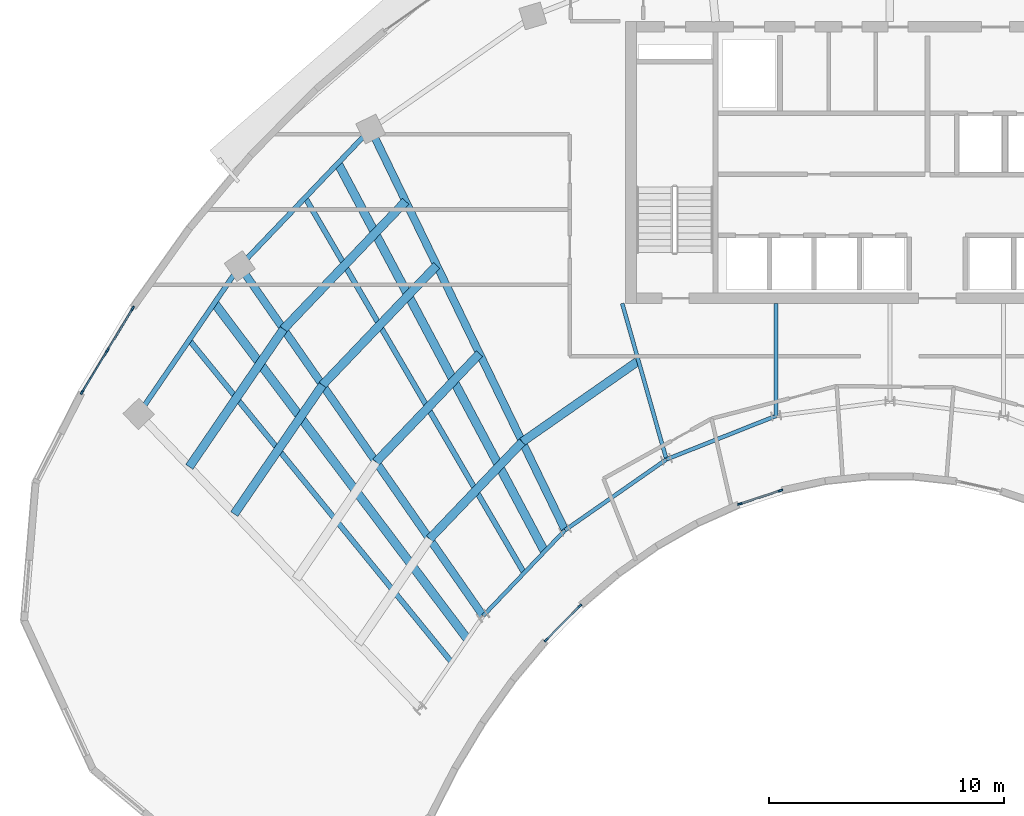
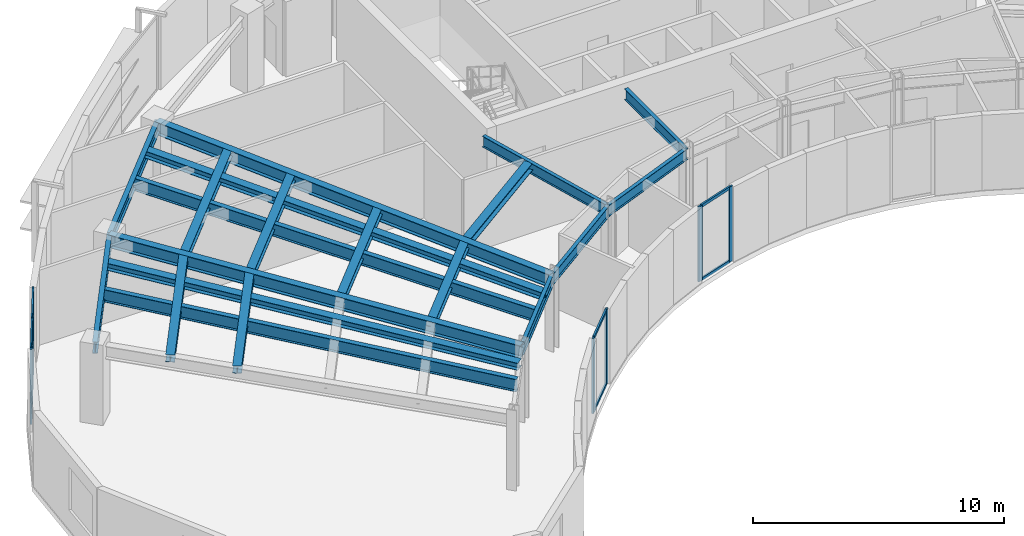
# One storey, part 2 of 12: 20 beams, 17 members, 3 elements without a shape of their own.
"""IFC4 building model written with IfcOpenShell, lengths in metres."""

import ifcopenshell
import ifcopenshell.guid

model = None  # the IFC model being written
_history = None  # IfcOwnerHistory: only IFC2X3 demands one
_inside = {}  # id of a spatial element -> (the spatial element, [elements in it])
_under = {}  # id of a project, library or spatial element -> (it, [spatial elements below it])
_declared = {}  # id of a project -> (the project, [libraries it declares])
_typed = {}  # id of a type object -> (the type object, [elements of that type])
_made_of = {}  # id of a material, layer set ... -> (it, [elements and type objects made of it])


def new_model(schema):
    """Start an empty IFC model of exactly this schema.

    Asked for "IFC4X3", IfcOpenShell would pick the latest addendum, in which some entities
    have other attributes; the version numbers below select the first issue.
    IFC2X3 requires an IfcOwnerHistory on every rooted entity: one is made here for all.
    """
    global model, _history
    if schema == "IFC4X3":
        model = ifcopenshell.file(schema_version=(4, 3, 0, 0))
    else:
        model = ifcopenshell.file(schema=schema)
    _inside.clear()
    _under.clear()
    _declared.clear()
    _typed.clear()
    _made_of.clear()
    _history = None
    if model.schema == "IFC2X3":
        org = make("IfcOrganization", Name="unknown")
        user = make(
            "IfcPersonAndOrganization",
            ThePerson=make("IfcPerson", FamilyName="unknown"),
            TheOrganization=org,
        )
        app = make(
            "IfcApplication",
            ApplicationDeveloper=org,
            Version="unknown",
            ApplicationFullName="unknown",
            ApplicationIdentifier="unknown",
        )
        _history = make(
            "IfcOwnerHistory",
            OwningUser=user,
            OwningApplication=app,
            ChangeAction="ADDED",
            CreationDate=0,
        )
    return model


def make(cls, **values):
    """One entity of the class cls with the attributes given. An attribute that is None is left unset."""
    return model.create_entity(
        cls, **{name: value for name, value in values.items() if value is not None}
    )


def rooted(cls, **values):
    """An entity with a GlobalId (a new one), such as an element, a storey or a relation."""
    return make(cls, GlobalId=ifcopenshell.guid.new(), OwnerHistory=_history, **values)


def si_unit(unit_type, name, prefix=None):
    """IfcSIUnit, for example si_unit("LENGTHUNIT", "METRE", prefix="MILLI")."""
    return make("IfcSIUnit", UnitType=unit_type, Prefix=prefix, Name=name)


def assignment(units):
    """IfcUnitAssignment: the units of a project."""
    return None if units is None else make("IfcUnitAssignment", Units=units)


def point(xyz):
    """IfcCartesianPoint."""
    return None if xyz is None else make("IfcCartesianPoint", Coordinates=xyz)


def direction(xyz):
    """IfcDirection."""
    return None if xyz is None else make("IfcDirection", DirectionRatios=xyz)


def frame(location, z_axis=None, x_axis=None):
    """IfcAxis2Placement3D, a coordinate frame: its origin and axes. An axis left out is left unset."""
    return make(
        "IfcAxis2Placement3D",
        Location=point(location),
        Axis=direction(z_axis),
        RefDirection=direction(x_axis),
    )


def frame_2d(location, x_axis=None):
    """IfcAxis2Placement2D, a coordinate frame in the plane: its origin and x axis."""
    return make(
        "IfcAxis2Placement2D", Location=point(location), RefDirection=direction(x_axis)
    )


def origin():
    """The frame at (0, 0, 0) with its axes left unset."""
    return frame((0.0, 0.0, 0.0))


def origin_2d():
    """The frame at (0, 0) in the plane with its x axis left unset."""
    return frame_2d((0.0, 0.0))


def place(relative_to, where):
    """IfcLocalPlacement: puts the frame where relative to a parent placement (None: the world)."""
    return make(
        "IfcLocalPlacement", PlacementRelTo=relative_to, RelativePlacement=where
    )


def context(
    kind, dimensions, precision=None, world=None, true_north=None, identifier=None
):
    """IfcGeometricRepresentationContext, for example the 3D "Model" context."""
    return make(
        "IfcGeometricRepresentationContext",
        ContextIdentifier=identifier,
        ContextType=kind,
        CoordinateSpaceDimension=dimensions,
        Precision=precision,
        WorldCoordinateSystem=world,
        TrueNorth=true_north,
    )


def subcontext(parent, identifier, kind, view, scale=None):
    """IfcGeometricRepresentationSubContext, for example "Body" below "Model"."""
    return make(
        "IfcGeometricRepresentationSubContext",
        ContextIdentifier=identifier,
        ContextType=kind,
        ParentContext=parent,
        TargetScale=scale,
        TargetView=view,
    )


def project(units=None, contexts=None):
    """IfcProject with its units and contexts."""
    return rooted(
        "IfcProject",
        Name="project",
        RepresentationContexts=contexts,
        UnitsInContext=assignment(units),
    )


def spatial(cls, under=None, at=None, **own):
    """A site, building, storey or space (cls), placed at a placement, below another one or the project."""
    s = rooted(cls, ObjectPlacement=at, **own)
    if under is not None:
        _under.setdefault(under.id(), (under, []))[1].append(s)
    return s


def profile(cls, at=None, kind="AREA", **sizes):
    """A parametric profile (cls). Its sizes go by their IFC names, for example OverallWidth=200.0."""
    return make(cls, ProfileType=kind, Position=at, **sizes)


def rectangle(**sizes):
    """IfcRectangleProfileDef."""
    return profile("IfcRectangleProfileDef", **sizes)


def i_section(**sizes):
    """IfcIShapeProfileDef."""
    return profile("IfcIShapeProfileDef", **sizes)


def extrude(swept, where, along, depth):
    """IfcExtrudedAreaSolid: the profile swept, set in the frame where, extruded along a direction by depth."""
    return make(
        "IfcExtrudedAreaSolid",
        SweptArea=swept,
        Position=where,
        ExtrudedDirection=direction(along),
        Depth=depth,
    )


def shape(context_of_items, identifier, shape_type, items):
    """IfcShapeRepresentation: the items that make up one representation, for example the "Body"."""
    return make(
        "IfcShapeRepresentation",
        ContextOfItems=context_of_items,
        RepresentationIdentifier=identifier,
        RepresentationType=shape_type,
        Items=items,
    )


def source(mapping_origin, context_of_items, identifier, shape_type, items):
    """IfcRepresentationMap: a shape defined once, which mapped items show again and again."""
    return make(
        "IfcRepresentationMap",
        MappingOrigin=mapping_origin,
        MappedRepresentation=shape(context_of_items, identifier, shape_type, items),
    )


def transform(
    local_origin,
    x_axis=None,
    y_axis=None,
    z_axis=None,
    scale=None,
    scale2=None,
    scale3=None,
    uniform=True,
):
    """IfcCartesianTransformationOperator3D, or its non-uniform kind. x_axis, y_axis, z_axis: its Axis1, 2, 3."""
    if uniform:
        return make(
            "IfcCartesianTransformationOperator3D",
            Axis1=direction(x_axis),
            Axis2=direction(y_axis),
            LocalOrigin=point(local_origin),
            Scale=scale,
            Axis3=direction(z_axis),
        )
    return make(
        "IfcCartesianTransformationOperator3DnonUniform",
        Axis1=direction(x_axis),
        Axis2=direction(y_axis),
        LocalOrigin=point(local_origin),
        Scale=scale,
        Axis3=direction(z_axis),
        Scale2=scale2,
        Scale3=scale3,
    )


def mapped(mapping_source, mapping_target):
    """IfcMappedItem: shows the shape of a source again, moved by a transform."""
    return make(
        "IfcMappedItem", MappingSource=mapping_source, MappingTarget=mapping_target
    )


def material(Name=None, Category=None):
    """IfcMaterial."""
    return make("IfcMaterial", Name=Name, Category=Category)


def layer(
    of_material, thickness, ventilated=None, Name=None, Category=None, Priority=None
):
    """IfcMaterialLayer: one layer of a wall or slab, of a material (None: an air gap)."""
    return make(
        "IfcMaterialLayer",
        Material=of_material,
        LayerThickness=thickness,
        IsVentilated=ventilated,
        Name=Name,
        Category=Category,
        Priority=Priority,
    )


def layer_set(layers, Name=None):
    """IfcMaterialLayerSet."""
    return make("IfcMaterialLayerSet", MaterialLayers=layers, LayerSetName=Name)


def material_profile(
    of_material, cross_section, Name=None, Category=None, Priority=None
):
    """IfcMaterialProfile: a cross section and its material."""
    return make(
        "IfcMaterialProfile",
        Name=Name,
        Material=of_material,
        Profile=cross_section,
        Priority=Priority,
        Category=Category,
    )


def profile_set(profiles, Name=None, composite=None):
    """IfcMaterialProfileSet."""
    return make(
        "IfcMaterialProfileSet",
        Name=Name,
        MaterialProfiles=profiles,
        CompositeProfile=composite,
    )


def made_of(thing, what):
    """Note that an element or type object is made of a material, layer set ...; save() writes the relation."""
    if what is not None:
        _made_of.setdefault(what.id(), (what, []))[1].append(thing)
    return thing


def type_object(cls, material=None, **own):
    """A type object (cls), such as IfcWallType, which elements share."""
    return made_of(rooted(cls, **own), material)


def type_shapes(of_type, sources):
    """Give a type object the sources (RepresentationMaps) that its elements show as mapped items."""
    of_type.RepresentationMaps = sources


def element(
    cls,
    number,
    at=None,
    inside=None,
    cuts=None,
    type_object=None,
    material=None,
    context=None,
    identifier="Body",
    shape_type=None,
    held_by="IfcProductDefinitionShape",
    body=None,
    shapes=None,
    **own,
):
    """One element of the class cls, such as IfcWall. Its Tag is "e" and its number.

    at: its placement. inside: the storey or other place that contains it. cuts: it is an
    opening in that element (IfcRelVoidsElement). A single representation is given by context,
    identifier, shape_type and body (its items); several are given by shapes. held_by: the class
    of the entity that holds the representations. save() writes the other relations.
    """
    e = rooted(cls, Tag="e%d" % number, ObjectPlacement=at, **own)
    if body is not None:
        shapes = [shape(context, identifier, shape_type, body)]
    if shapes is not None:
        e.Representation = make(held_by, Representations=shapes)
    if inside is not None:
        _inside.setdefault(inside.id(), (inside, []))[1].append(e)
    if cuts is not None:
        rooted(
            "IfcRelVoidsElement", RelatingBuildingElement=cuts, RelatedOpeningElement=e
        )
    if type_object is not None:
        _typed.setdefault(type_object.id(), (type_object, []))[1].append(e)
    return made_of(e, material)


def aggregate(whole, parts):
    """IfcRelAggregates: a whole, such as a stair, and the parts it consists of."""
    return rooted("IfcRelAggregates", RelatingObject=whole, RelatedObjects=parts)


def save(model, path):
    """Write the relations noted so far, then the file.

    IfcRelAggregates (storeys below a building ...), IfcRelContainedInSpatialStructure (elements
    in a storey), IfcRelDefinesByType, IfcRelAssociatesMaterial and IfcRelDeclares: one each for
    every whole, place, type object, material and project.
    """
    for whole, parts in _under.values():
        aggregate(whole, parts)
    for where, things in _inside.values():
        rooted(
            "IfcRelContainedInSpatialStructure",
            RelatedElements=things,
            RelatingStructure=where,
        )
    for kind, things in _typed.values():
        rooted("IfcRelDefinesByType", RelatedObjects=things, RelatingType=kind)
    for what, things in _made_of.values():
        rooted("IfcRelAssociatesMaterial", RelatedObjects=things, RelatingMaterial=what)
    for by, libraries in _declared.values():
        rooted("IfcRelDeclares", RelatingContext=by, RelatedDefinitions=libraries)
    model.write(path)


model = new_model("IFC4")

# Units and contexts
model_context = context("Model", 3, precision=1e-05, world=origin(), true_north=direction((0.0, 1.0)))
body_context = subcontext(model_context, "Body", "Model", "MODEL_VIEW")
ifc_project = project(units=[si_unit("LENGTHUNIT", "METRE"), si_unit("AREAUNIT", "SQUARE_METRE"), si_unit("VOLUMEUNIT", "CUBIC_METRE"), si_unit("PLANEANGLEUNIT", "RADIAN"), si_unit("MASSUNIT", "GRAM", prefix="KILO")], contexts=[model_context])

# Site, building, storey
site_placement = place(None, origin())
site = spatial("IfcSite", under=ifc_project, at=site_placement, CompositionType="ELEMENT")
building_placement = place(site_placement, origin())
building = spatial("IfcBuilding", under=site, at=building_placement, Name="Breltana Convention Tower", CompositionType="ELEMENT")
storey_placement = place(building_placement, frame((0.0, 0.0, 243.0)))
storey = spatial("IfcBuildingStorey", under=building, at=storey_placement, Name="L59", CompositionType="ELEMENT", Elevation=243.0)

# Beams
ifc_material_1 = material(Name="Steel ASTM A992 Grade 50", Category="steel")
ifc_material_profile_1 = material_profile(ifc_material_1, i_section(OverallWidth=0.166015625, OverallDepth=0.534912109375, WebThickness=0.01025390625, FlangeThickness=0.0166015625, at=origin_2d()), Name="W21X57")
ifc_profile_set_1 = profile_set([ifc_material_profile_1], Name="Steel ASTM A992 Grade 50")
beam_type_1 = type_object("IfcBeamType", Name="BM-BM-W21X57", PredefinedType="BEAM", material=ifc_profile_set_1)
shared_shape_1 = source(origin(), body_context, "Body", "SweptSolid", [
    extrude(i_section(OverallWidth=0.166015625, OverallDepth=0.534912109375, WebThickness=0.01025390625, FlangeThickness=0.0166015625, at=origin_2d()), origin(), (0.0, 0.0, 1.0), 6.904541015625),
])
type_shapes(beam_type_1, [shared_shape_1])
beam_1_placement = place(storey_placement, frame((36.60009765625, 60.199951171875, 3.382568359375), z_axis=(0.273006781054, -0.962012108811, 0.0), x_axis=(0.962012108811, 0.273006781054, 0.0)))
element("IfcBeam", 1, at=beam_1_placement, inside=storey, type_object=beam_type_1, Name="L59 South Core Tie Girder R04", PredefinedType="BEAM", context=body_context, shape_type="MappedRepresentation", body=[
    mapped(shared_shape_1, transform((0.0, 0.0, 0.0), scale=1.0)),
])
shared_shape_2 = source(origin(), body_context, "Body", "SweptSolid", [
    extrude(i_section(OverallWidth=0.166015625, OverallDepth=0.534912109375, WebThickness=0.01025390625, FlangeThickness=0.0166015625, at=origin_2d()), origin(), (0.0, 0.0, 1.0), 4.789306640625),
])
beam_2_placement = place(storey_placement, frame((43.153564453125, 60.199951171875, 3.382568359375), z_axis=(0.0, -1.0, 0.0), x_axis=(1.0, 0.0, 0.0)))
element("IfcBeam", 2, at=beam_2_placement, inside=storey, type_object=beam_type_1, Name="L59 South Core Tie Girder R05", PredefinedType="BEAM", context=body_context, shape_type="MappedRepresentation", body=[
    mapped(shared_shape_2, transform((0.0, 0.0, 0.0), scale=1.0)),
])
shared_shape_3 = source(origin(), body_context, "Body", "SweptSolid", [
    extrude(i_section(OverallWidth=0.166015625, OverallDepth=0.534912109375, WebThickness=0.01025390625, FlangeThickness=0.0166015625, at=origin_2d()), origin(), (0.0, 0.0, 1.0), 5.05126953125),
])
beam_3_placement = place(storey_placement, frame((30.67724609375, 46.892333984375, 3.382568359375), z_axis=(0.690729753845, 0.7231129975, 0.0), x_axis=(-0.7231129975, 0.690729753845, 0.0)))
element("IfcBeam", 3, at=beam_3_placement, inside=storey, type_object=beam_type_1, Name="L59 Inner Ring Beam 02", PredefinedType="BEAM", context=body_context, shape_type="MappedRepresentation", body=[
    mapped(shared_shape_3, transform((0.0, 0.0, 0.0), scale=1.0)),
])
shared_shape_4 = source(origin(), body_context, "Body", "SweptSolid", [
    extrude(i_section(OverallWidth=0.166015625, OverallDepth=0.534912109375, WebThickness=0.01025390625, FlangeThickness=0.0166015625, at=origin_2d()), origin(), (0.0, 0.0, 1.0), 5.265869140625),
])
beam_4_placement = place(storey_placement, frame((34.166259765625, 50.544921875, 3.382568359375), z_axis=(0.820167429517, 0.572123577176, 0.0), x_axis=(-0.572123577176, 0.820167429517, 0.0)))
element("IfcBeam", 4, at=beam_4_placement, inside=storey, type_object=beam_type_1, Name="L59 Inner Ring Beam 03", PredefinedType="BEAM", context=body_context, shape_type="MappedRepresentation", body=[
    mapped(shared_shape_4, transform((0.0, 0.0, 0.0), scale=1.0)),
])
shared_shape_5 = source(origin(), body_context, "Body", "SweptSolid", [
    extrude(i_section(OverallWidth=0.166015625, OverallDepth=0.534912109375, WebThickness=0.01025390625, FlangeThickness=0.0166015625, at=origin_2d()), origin(), (0.0, 0.0, 1.0), 5.022705078125),
])
beam_5_placement = place(storey_placement, frame((38.485107421875, 53.5576171875, 3.382568359375), z_axis=(0.929458966248, 0.368925507469, 0.0), x_axis=(-0.368925507469, 0.929458966248, 0.0)))
element("IfcBeam", 5, at=beam_5_placement, inside=storey, type_object=beam_type_1, Name="L59 Inner Ring Beam 04", PredefinedType="BEAM", context=body_context, shape_type="MappedRepresentation", body=[
    mapped(shared_shape_5, transform((0.0, 0.0, 0.0), scale=1.0)),
])
ifc_material_profile_2 = material_profile(ifc_material_1, i_section(OverallWidth=0.368896484375, OverallDepth=0.35595703125, WebThickness=0.01123046875, FlangeThickness=0.01806640625, at=origin_2d()), Name="W14X90")
ifc_profile_set_2 = profile_set([ifc_material_profile_2], Name="Steel ASTM A992 Grade 50")
beam_type_2 = type_object("IfcBeamType", Name="BM-JSG-09", PredefinedType="JOIST", material=ifc_profile_set_2)
shared_shape_6 = source(origin(), body_context, "Body", "SweptSolid", [
    extrude(i_section(OverallWidth=0.368896484375, OverallDepth=0.35595703125, WebThickness=0.01123046875, FlangeThickness=0.01806640625, at=origin_2d()), origin(), (0.0, 0.0, 1.0), 6.654541015625),
])
beam_6_placement = place(storey_placement, frame((20.0791015625, 51.23095703125, 3.471923828125), z_axis=(0.564482668195, 0.82544492082, 0.0), x_axis=(-0.82544492082, 0.564482668195, 0.0)))
element("IfcBeam", 6, at=beam_6_placement, inside=storey, type_object=beam_type_2, Name="L59 Composite Floor Joist 01.3", PredefinedType="JOIST", context=body_context, shape_type="MappedRepresentation", body=[
    mapped(shared_shape_6, transform((0.0, 0.0, 0.0), scale=1.0)),
])
shared_shape_7 = source(origin(), body_context, "Body", "SweptSolid", [
    extrude(i_section(OverallWidth=0.368896484375, OverallDepth=0.35595703125, WebThickness=0.01123046875, FlangeThickness=0.01806640625, at=origin_2d()), origin(), (0.0, 0.0, 1.0), 7.111328125),
])
beam_7_placement = place(storey_placement, frame((18.162841796875, 53.2373046875, 3.471923828125), z_axis=(0.564446356178, 0.825469751715, 0.0), x_axis=(-0.825469751715, 0.564446356178, 0.0)))
element("IfcBeam", 7, at=beam_7_placement, inside=storey, type_object=beam_type_2, Name="L59 Composite Floor Joist 01.4", PredefinedType="JOIST", context=body_context, shape_type="MappedRepresentation", body=[
    mapped(shared_shape_7, transform((0.0, 0.0, 0.0), scale=1.0)),
])
ifc_material_profile_3 = material_profile(ifc_material_1, i_section(OverallWidth=0.22802734375, OverallDepth=0.60791015625, WebThickness=0.01123046875, FlangeThickness=0.017333984375, at=origin_2d()), Name="W24X76")
ifc_profile_set_3 = profile_set([ifc_material_profile_3], Name="Steel ASTM A992 Grade 50")
beam_type_3 = type_object("IfcBeamType", Name="BM-JSG-02", PredefinedType="JOIST", material=ifc_profile_set_3)
shared_shape_8 = source(origin(), body_context, "Body", "SweptSolid", [
    extrude(i_section(OverallWidth=0.22802734375, OverallDepth=0.60791015625, WebThickness=0.01123046875, FlangeThickness=0.017333984375, at=origin_2d()), origin(), (0.0, 0.0, 1.0), 17.691650390625),
])
type_shapes(beam_type_3, [shared_shape_8])
beam_8_placement = place(storey_placement, frame((29.330810546875, 44.923583984375, 3.345947265625), z_axis=(-0.631476958478, 0.775394642044, 0.0), x_axis=(-0.775394642044, -0.631476958478, 0.0)))
element("IfcBeam", 8, at=beam_8_placement, inside=storey, type_object=beam_type_3, Name="L59 Mid-Bay Radial Trimmer 01", PredefinedType="JOIST", context=body_context, shape_type="MappedRepresentation", body=[
    mapped(shared_shape_8, transform((0.0, 0.0, 0.0), scale=1.0)),
])
shared_shape_9 = source(origin(), body_context, "Body", "SweptSolid", [
    extrude(i_section(OverallWidth=0.368896484375, OverallDepth=0.35595703125, WebThickness=0.01123046875, FlangeThickness=0.01806640625, at=origin_2d()), origin(), (0.0, 0.0, 1.0), 17.9072265625),
])
beam_9_placement = place(storey_placement, frame((30.00390625, 45.907958984375, 3.471923828125), z_axis=(-0.601382105028, 0.798961553363, 0.0), x_axis=(-0.798961553363, -0.601382105028, 0.0)))
element("IfcBeam", 9, at=beam_9_placement, inside=storey, type_object=beam_type_2, Name="L59 Quarter-Bay Radial Trimmer 01", PredefinedType="JOIST", context=body_context, shape_type="MappedRepresentation", body=[
    mapped(shared_shape_9, transform((0.0, 0.0, 0.0), scale=1.0)),
])
shared_shape_10 = source(origin(), body_context, "Body", "SweptSolid", [
    extrude(i_section(OverallWidth=0.368896484375, OverallDepth=0.35595703125, WebThickness=0.01123046875, FlangeThickness=0.01806640625, at=origin_2d()), origin(), (0.0, 0.0, 1.0), 5.716064453125),
])
beam_10_placement = place(storey_placement, frame((28.396484375, 50.169677734375, 3.471923828125), z_axis=(0.690756060045, 0.723087868458, 0.0), x_axis=(-0.723087868458, 0.690756060045, 0.0)))
element("IfcBeam", 10, at=beam_10_placement, inside=storey, type_object=beam_type_2, Name="L59 Composite Floor Joist 02.1", PredefinedType="JOIST", context=body_context, shape_type="MappedRepresentation", body=[
    mapped(shared_shape_10, transform((0.0, 0.0, 0.0), scale=1.0)),
])
shared_shape_11 = source(origin(), body_context, "Body", "SweptSolid", [
    extrude(i_section(OverallWidth=0.368896484375, OverallDepth=0.35595703125, WebThickness=0.01123046875, FlangeThickness=0.01806640625, at=origin_2d()), origin(), (0.0, 0.0, 1.0), 6.381103515625),
])
beam_11_placement = place(storey_placement, frame((26.115966796875, 53.44677734375, 3.471923828125), z_axis=(0.690737768889, 0.723105341309, 0.0), x_axis=(-0.723105341309, 0.690737768889, 0.0)))
element("IfcBeam", 11, at=beam_11_placement, inside=storey, type_object=beam_type_2, Name="L59 Composite Floor Joist 02.2", PredefinedType="JOIST", context=body_context, shape_type="MappedRepresentation", body=[
    mapped(shared_shape_11, transform((0.0, 0.0, 0.0), scale=1.0)),
])
shared_shape_12 = source(origin(), body_context, "Body", "SweptSolid", [
    extrude(i_section(OverallWidth=0.368896484375, OverallDepth=0.35595703125, WebThickness=0.01123046875, FlangeThickness=0.01806640625, at=origin_2d()), origin(), (0.0, 0.0, 1.0), 7.046142578125),
])
beam_12_placement = place(storey_placement, frame((23.83544921875, 56.723876953125, 3.471923828125), z_axis=(0.690722929904, 0.723119515782, 0.0), x_axis=(-0.723119515782, 0.690722929904, 0.0)))
element("IfcBeam", 12, at=beam_12_placement, inside=storey, type_object=beam_type_2, Name="L59 Composite Floor Joist 02.3", PredefinedType="JOIST", context=body_context, shape_type="MappedRepresentation", body=[
    mapped(shared_shape_12, transform((0.0, 0.0, 0.0), scale=1.0)),
])
shared_shape_13 = source(origin(), body_context, "Body", "SweptSolid", [
    extrude(i_section(OverallWidth=0.368896484375, OverallDepth=0.35595703125, WebThickness=0.01123046875, FlangeThickness=0.01806640625, at=origin_2d()), origin(), (0.0, 0.0, 1.0), 7.529541015625),
])
beam_13_placement = place(storey_placement, frame((22.1767578125, 59.107421875, 3.471923828125), z_axis=(0.690725562031, 0.723117001568, 0.0), x_axis=(-0.723117001568, 0.690725562031, 0.0)))
element("IfcBeam", 13, at=beam_13_placement, inside=storey, type_object=beam_type_2, Name="L59 Composite Floor Joist 02.4", PredefinedType="JOIST", context=body_context, shape_type="MappedRepresentation", body=[
    mapped(shared_shape_13, transform((0.0, 0.0, 0.0), scale=1.0)),
])
shared_shape_14 = source(origin(), body_context, "Body", "SweptSolid", [
    extrude(i_section(OverallWidth=0.22802734375, OverallDepth=0.60791015625, WebThickness=0.01123046875, FlangeThickness=0.017333984375, at=origin_2d()), origin(), (0.0, 0.0, 1.0), 18.50830078125),
])
beam_14_placement = place(storey_placement, frame((32.421630859375, 48.71875, 3.345947265625), z_axis=(-0.50368319637, 0.863888440537, 0.0), x_axis=(-0.863888440537, -0.50368319637, 0.0)))
element("IfcBeam", 14, at=beam_14_placement, inside=storey, type_object=beam_type_3, Name="L59 Mid-Bay Radial Trimmer 02", PredefinedType="JOIST", context=body_context, shape_type="MappedRepresentation", body=[
    mapped(shared_shape_14, transform((0.0, 0.0, 0.0), scale=1.0)),
])
shared_shape_15 = source(origin(), body_context, "Body", "SweptSolid", [
    extrude(i_section(OverallWidth=0.368896484375, OverallDepth=0.35595703125, WebThickness=0.01123046875, FlangeThickness=0.01806640625, at=origin_2d()), origin(), (0.0, 0.0, 1.0), 18.731689453125),
])
beam_15_placement = place(storey_placement, frame((33.2939453125, 49.6318359375, 3.471923828125), z_axis=(-0.469820250451, 0.882762104004, 0.0), x_axis=(-0.882762104004, -0.469820250451, 0.0)))
element("IfcBeam", 15, at=beam_15_placement, inside=storey, type_object=beam_type_2, Name="L59 Quarter-Bay Radial Trimmer 02", PredefinedType="JOIST", context=body_context, shape_type="MappedRepresentation", body=[
    mapped(shared_shape_15, transform((0.0, 0.0, 0.0), scale=1.0)),
])
shared_shape_16 = source(origin(), body_context, "Body", "SweptSolid", [
    extrude(i_section(OverallWidth=0.368896484375, OverallDepth=0.35595703125, WebThickness=0.01123046875, FlangeThickness=0.01806640625, at=origin_2d()), origin(), (0.0, 0.0, 1.0), 5.959228515625),
])
beam_16_placement = place(storey_placement, frame((32.344970703125, 54.302978515625, 3.471923828125), z_axis=(0.820160485262, 0.572133531979, 0.0), x_axis=(-0.572133531979, 0.820160485262, 0.0)))
element("IfcBeam", 16, at=beam_16_placement, inside=storey, type_object=beam_type_2, Name="L59 Composite Floor Joist 03.1", PredefinedType="JOIST", context=body_context, shape_type="MappedRepresentation", body=[
    mapped(shared_shape_16, transform((0.0, 0.0, 0.0), scale=1.0)),
])
ifc_material_profile_4 = material_profile(ifc_material_1, i_section(OverallWidth=0.326904296875, OverallDepth=0.6220703125, WebThickness=0.015380859375, FlangeThickness=0.0244140625, at=origin_2d()), Name="W24X131")
ifc_profile_set_4 = profile_set([ifc_material_profile_4], Name="Steel ASTM A992 Grade 50")
beam_type_4 = type_object("IfcBeamType", Name="BM-RG-W24X131", PredefinedType="USERDEFINED", material=ifc_profile_set_4)
shared_shape_17 = source(origin(), body_context, "Body", "SweptSolid", [
    extrude(i_section(OverallWidth=0.326904296875, OverallDepth=0.6220703125, WebThickness=0.015380859375, FlangeThickness=0.0244140625, at=origin_2d()), origin(), (0.0, 0.0, 1.0), 18.1484375),
])
beam_17_placement = place(storey_placement, frame((30.67724609375, 46.892333984375, 3.339111328125), z_axis=(-0.571207556098, 0.820805657788, 0.0), x_axis=(-0.820805657788, -0.571207556098, 0.0)))
element("IfcBeam", 17, at=beam_17_placement, inside=storey, type_object=beam_type_4, Name="L59 Radial Floor Girder R02", ObjectType="GIRDER", PredefinedType="USERDEFINED", context=body_context, shape_type="MappedRepresentation", body=[
    mapped(shared_shape_17, transform((0.0, 0.0, 0.0), scale=1.0)),
])
shared_shape_18 = source(origin(), body_context, "Body", "SweptSolid", [
    extrude(i_section(OverallWidth=0.326904296875, OverallDepth=0.6220703125, WebThickness=0.015380859375, FlangeThickness=0.0244140625, at=origin_2d()), origin(), (0.0, 0.0, 1.0), 18.982421875),
])
beam_18_placement = place(storey_placement, frame((34.166259765625, 50.544921875, 3.339111328125), z_axis=(-0.436118560343, 0.89988921614, 0.0), x_axis=(-0.89988921614, -0.436118560343, 0.0)))
element("IfcBeam", 18, at=beam_18_placement, inside=storey, type_object=beam_type_4, Name="L59 Radial Floor Girder R03", ObjectType="GIRDER", PredefinedType="USERDEFINED", context=body_context, shape_type="MappedRepresentation", body=[
    mapped(shared_shape_18, transform((0.0, 0.0, 0.0), scale=1.0)),
])
ifc_material_profile_5 = material_profile(ifc_material_1, i_section(OverallWidth=0.214111328125, OverallDepth=0.549072265625, WebThickness=0.0146484375, FlangeThickness=0.023681640625, at=origin_2d()), Name="W21X93")
ifc_profile_set_5 = profile_set([ifc_material_profile_5], Name="Steel ASTM A992 Grade 50")
beam_type_5 = type_object("IfcBeamType", Name="BM-SP-W21X93", PredefinedType="SPANDREL", material=ifc_profile_set_5)
shared_shape_19 = source(origin(), body_context, "Body", "SweptSolid", [
    extrude(i_section(OverallWidth=0.214111328125, OverallDepth=0.549072265625, WebThickness=0.0146484375, FlangeThickness=0.023681640625, at=origin_2d()), origin(), (0.0, 0.0, 1.0), 7.625),
])
type_shapes(beam_type_5, [shared_shape_19])
beam_19_placement = place(storey_placement, frame((16.0068359375, 55.494384765625, 3.37548828125), z_axis=(0.564452031902, 0.825465870694, 0.0), x_axis=(-0.825465870694, 0.564452031902, 0.0)))
element("IfcBeam", 19, at=beam_19_placement, inside=storey, type_object=beam_type_5, Name="L59 Outer Spandrel Beam 01", PredefinedType="SPANDREL", context=body_context, shape_type="MappedRepresentation", body=[
    mapped(shared_shape_19, transform((0.0, 0.0, 0.0), scale=1.0)),
])
shared_shape_20 = source(origin(), body_context, "Body", "SweptSolid", [
    extrude(i_section(OverallWidth=0.214111328125, OverallDepth=0.549072265625, WebThickness=0.0146484375, FlangeThickness=0.023681640625, at=origin_2d()), origin(), (0.0, 0.0, 1.0), 8.073974609375),
])
beam_20_placement = place(storey_placement, frame((20.310791015625, 61.78857421875, 3.37548828125), z_axis=(0.69072885448, 0.723113856588, 0.0), x_axis=(-0.723113856588, 0.69072885448, 0.0)))
element("IfcBeam", 20, at=beam_20_placement, inside=storey, type_object=beam_type_5, Name="L59 Outer Spandrel Beam 02", PredefinedType="SPANDREL", context=body_context, shape_type="MappedRepresentation", body=[
    mapped(shared_shape_20, transform((0.0, 0.0, 0.0), scale=1.0)),
])

# Curtain wall, members
ifc_material_2 = material(Name="Aluminium Anodised Bronze Frame", Category="aluminium")
ifc_layer_1 = layer(ifc_material_2, 0.18994140625, Name="Aluminium Anodised Bronze Frame")
ifc_layer_set_1 = layer_set([ifc_layer_1], Name="Aluminium Anodised Bronze Frame")
curtain_wall_type_1 = type_object("IfcCurtainWallType", Name="CW-SYS-1", PredefinedType="NOTDEFINED", material=ifc_layer_set_1)
curtain_wall_1_placement = place(storey_placement, origin())
curtain_wall_1 = element("IfcCurtainWall", 21, at=curtain_wall_1_placement, inside=storey, type_object=curtain_wall_type_1, Name="L59 inner south-court glazing 4", PredefinedType="NOTDEFINED")
ifc_material_3 = material(Name="Aluminium Anodised Bronze", Category="aluminium")
ifc_material_profile_6 = material_profile(ifc_material_3, rectangle(XDim=0.080078125, YDim=0.199951171875, at=origin_2d()), Name="CWM-80X200")
ifc_profile_set_6 = profile_set([ifc_material_profile_6], Name="Aluminium Anodised Bronze")
member_type_1 = type_object("IfcMemberType", Name="CWM-200", PredefinedType="MULLION", material=ifc_profile_set_6)
shared_shape_21 = source(origin(), body_context, "Body", "SweptSolid", [
    extrude(rectangle(XDim=0.080078125, YDim=0.199951171875, at=origin_2d()), origin(), (0.0, 0.0, 1.0), 3.64990234375),
])
member_1_placement = place(storey_placement, frame((43.340087890625, 52.228271484375, 0.0), z_axis=(0.0, 0.0, 1.0), x_axis=(0.313194220432, -0.949689096646, 0.0)))
member_1 = element("IfcMember", 22, at=member_1_placement, type_object=member_type_1, Name="CW-01 mullion 1", PredefinedType="MULLION", context=body_context, shape_type="MappedRepresentation", body=[
    mapped(shared_shape_21, transform((0.0, 0.0, 0.0), scale=1.0)),
])
member_2_placement = place(storey_placement, frame((41.61181640625, 51.658447265625, 0.0), z_axis=(0.0, 0.0, 1.0), x_axis=(0.313194220432, -0.949689096646, 0.0)))
member_2 = element("IfcMember", 23, at=member_2_placement, type_object=member_type_1, Name="CW-01 mullion 2", PredefinedType="MULLION", context=body_context, shape_type="MappedRepresentation", body=[
    mapped(shared_shape_21, transform((0.0, 0.0, 0.0), scale=1.0)),
])

curtain_wall_2_placement = place(storey_placement, origin())
curtain_wall_2 = element("IfcCurtainWall", 24, at=curtain_wall_2_placement, inside=storey, type_object=curtain_wall_type_1, Name="L59 inner south-court glazing 5", PredefinedType="NOTDEFINED")
member_3_placement = place(storey_placement, frame((34.790771484375, 47.31103515625, 0.0), z_axis=(0.0, 0.0, 1.0), x_axis=(0.711501409156, -0.702684669513, 0.0)))
member_3 = element("IfcMember", 25, at=member_3_placement, type_object=member_type_1, Name="CW-01 mullion 1", PredefinedType="MULLION", context=body_context, shape_type="MappedRepresentation", body=[
    mapped(shared_shape_21, transform((0.0, 0.0, 0.0), scale=1.0)),
])
member_4_placement = place(storey_placement, frame((33.36474609375, 45.866943359375, 0.0), z_axis=(0.0, 0.0, 1.0), x_axis=(0.711501409156, -0.702684669513, 0.0)))
member_4 = element("IfcMember", 26, at=member_4_placement, type_object=member_type_1, Name="CW-01 mullion 2", PredefinedType="MULLION", context=body_context, shape_type="MappedRepresentation", body=[
    mapped(shared_shape_21, transform((0.0, 0.0, 0.0), scale=1.0)),
])

ifc_layer_2 = layer(ifc_material_2, 0.219970703125, Name="Aluminium Anodised Bronze Frame")
ifc_layer_set_2 = layer_set([ifc_layer_2], Name="Aluminium Anodised Bronze Frame")
curtain_wall_type_2 = type_object("IfcCurtainWallType", Name="CW-SYS-4", PredefinedType="NOTDEFINED", material=ifc_layer_set_2)
curtain_wall_3_placement = place(storey_placement, origin())
curtain_wall_3 = element("IfcCurtainWall", 27, at=curtain_wall_3_placement, inside=storey, type_object=curtain_wall_type_2, Name="L59 outer double-skin inner glazing 1", PredefinedType="NOTDEFINED")
member_5_placement = place(storey_placement, frame((13.59912109375, 56.421630859375, 0.0), z_axis=(0.0, 0.0, 1.0), x_axis=(-0.856060706117, 0.516875291963, 0.0)))
member_5 = element("IfcMember", 28, at=member_5_placement, type_object=member_type_1, Name="CW-04 mullion 1", PredefinedType="MULLION", context=body_context, shape_type="MappedRepresentation", body=[
    mapped(shared_shape_21, transform((0.0, 0.0, 0.0), scale=1.0)),
])
member_6_placement = place(storey_placement, frame((14.6748046875, 58.203125, 0.0), z_axis=(0.0, 0.0, 1.0), x_axis=(-0.856060706117, 0.516875291963, 0.0)))
member_6 = element("IfcMember", 29, at=member_6_placement, type_object=member_type_1, Name="CW-04 mullion 2", PredefinedType="MULLION", context=body_context, shape_type="MappedRepresentation", body=[
    mapped(shared_shape_21, transform((0.0, 0.0, 0.0), scale=1.0)),
])
member_7_placement = place(storey_placement, frame((15.75048828125, 59.984619140625, 0.0), z_axis=(0.0, 0.0, 1.0), x_axis=(-0.856060706117, 0.516875291963, 0.0)))
member_7 = element("IfcMember", 30, at=member_7_placement, type_object=member_type_1, Name="CW-04 mullion 3", PredefinedType="MULLION", context=body_context, shape_type="MappedRepresentation", body=[
    mapped(shared_shape_21, transform((0.0, 0.0, 0.0), scale=1.0)),
])
ifc_material_profile_7 = material_profile(ifc_material_3, rectangle(XDim=0.070068359375, YDim=0.1201171875, at=origin_2d()), Name="CWT-70X120")
ifc_profile_set_7 = profile_set([ifc_material_profile_7], Name="Aluminium Anodised Bronze")
member_type_2 = type_object("IfcMemberType", Name="CWT-120", PredefinedType="USERDEFINED", material=ifc_profile_set_7)
shared_shape_22 = source(origin(), body_context, "Body", "SweptSolid", [
    extrude(rectangle(XDim=0.070068359375, YDim=0.1201171875, at=origin_2d()), origin(), (0.0, 0.0, 1.0), 2.001220703125),
])
member_8_placement = place(storey_placement, frame((13.61962890625, 56.455810546875, 0.034912109375), z_axis=(0.516897775642, 0.856047130441, 0.0), x_axis=(-0.856047130441, 0.516897775642, 0.0)))
member_8 = element("IfcMember", 31, at=member_8_placement, type_object=member_type_2, Name="CW-04 transom 1.1", ObjectType="TRANSOM", PredefinedType="USERDEFINED", context=body_context, shape_type="MappedRepresentation", body=[
    mapped(shared_shape_22, transform((0.0, 0.0, 0.0), scale=1.0)),
])
member_9_placement = place(storey_placement, frame((13.61962890625, 56.455810546875, 2.37255859375), z_axis=(0.516897775642, 0.856047130441, 0.0), x_axis=(-0.856047130441, 0.516897775642, 0.0)))
member_9 = element("IfcMember", 32, at=member_9_placement, type_object=member_type_2, Name="CW-04 transom 1.2", ObjectType="TRANSOM", PredefinedType="USERDEFINED", context=body_context, shape_type="MappedRepresentation", body=[
    mapped(shared_shape_22, transform((0.0, 0.0, 0.0), scale=1.0)),
])
member_10_placement = place(storey_placement, frame((13.61962890625, 56.455810546875, 3.614990234375), z_axis=(0.516897775642, 0.856047130441, 0.0), x_axis=(-0.856047130441, 0.516897775642, 0.0)))
member_10 = element("IfcMember", 33, at=member_10_placement, type_object=member_type_2, Name="CW-04 transom 1.3", ObjectType="TRANSOM", PredefinedType="USERDEFINED", context=body_context, shape_type="MappedRepresentation", body=[
    mapped(shared_shape_22, transform((0.0, 0.0, 0.0), scale=1.0)),
])
member_11_placement = place(storey_placement, frame((14.6953125, 58.2373046875, 0.034912109375), z_axis=(0.516897775642, 0.856047130441, 0.0), x_axis=(-0.856047130441, 0.516897775642, 0.0)))
member_11 = element("IfcMember", 34, at=member_11_placement, type_object=member_type_2, Name="CW-04 transom 2.1", ObjectType="TRANSOM", PredefinedType="USERDEFINED", context=body_context, shape_type="MappedRepresentation", body=[
    mapped(shared_shape_22, transform((0.0, 0.0, 0.0), scale=1.0)),
])
member_12_placement = place(storey_placement, frame((14.6953125, 58.2373046875, 2.37255859375), z_axis=(0.516897775642, 0.856047130441, 0.0), x_axis=(-0.856047130441, 0.516897775642, 0.0)))
member_12 = element("IfcMember", 35, at=member_12_placement, type_object=member_type_2, Name="CW-04 transom 2.2", ObjectType="TRANSOM", PredefinedType="USERDEFINED", context=body_context, shape_type="MappedRepresentation", body=[
    mapped(shared_shape_22, transform((0.0, 0.0, 0.0), scale=1.0)),
])
member_13_placement = place(storey_placement, frame((14.6953125, 58.2373046875, 3.614990234375), z_axis=(0.516897775642, 0.856047130441, 0.0), x_axis=(-0.856047130441, 0.516897775642, 0.0)))
member_13 = element("IfcMember", 36, at=member_13_placement, type_object=member_type_2, Name="CW-04 transom 2.3", ObjectType="TRANSOM", PredefinedType="USERDEFINED", context=body_context, shape_type="MappedRepresentation", body=[
    mapped(shared_shape_22, transform((0.0, 0.0, 0.0), scale=1.0)),
])
aggregate(curtain_wall_3, [member_5, member_6, member_7, member_8, member_9, member_10, member_11, member_12, member_13])

# Member
ifc_material_profile_8 = material_profile(ifc_material_3, rectangle(XDim=0.080078125, YDim=0.139892578125, at=origin_2d()), Name="CWT-80X140")
ifc_profile_set_8 = profile_set([ifc_material_profile_8], Name="Aluminium Anodised Bronze")
member_type_3 = type_object("IfcMemberType", Name="CWT-140", PredefinedType="USERDEFINED", material=ifc_profile_set_8)
shared_shape_23 = source(origin(), body_context, "Body", "SweptSolid", [
    extrude(rectangle(XDim=0.080078125, YDim=0.139892578125, at=origin_2d()), origin(), (0.0, 0.0, 1.0), 1.739990234375),
])
member_14_placement = place(storey_placement, frame((43.30224609375, 52.2158203125, 0.0400390625), z_axis=(-0.94968876353, -0.313195230526, 0.0), x_axis=(0.313195230526, -0.94968876353, 0.0)))
member_14 = element("IfcMember", 37, at=member_14_placement, type_object=member_type_3, Name="CW-01 transom 1.1", ObjectType="TRANSOM", PredefinedType="USERDEFINED", context=body_context, shape_type="MappedRepresentation", body=[
    mapped(shared_shape_23, transform((0.0, 0.0, 0.0), scale=1.0)),
])

member_15_placement = place(storey_placement, frame((43.30224609375, 52.2158203125, 3.610107421875), z_axis=(-0.94968876353, -0.313195230526, 0.0), x_axis=(0.313195230526, -0.94968876353, 0.0)))
member_15 = element("IfcMember", 38, at=member_15_placement, type_object=member_type_3, Name="CW-01 transom 1.2", ObjectType="TRANSOM", PredefinedType="USERDEFINED", context=body_context, shape_type="MappedRepresentation", body=[
    mapped(shared_shape_23, transform((0.0, 0.0, 0.0), scale=1.0)),
])

aggregate(curtain_wall_1, [member_1, member_2, member_14, member_15])

shared_shape_24 = source(origin(), body_context, "Body", "SweptSolid", [
    extrude(rectangle(XDim=0.080078125, YDim=0.139892578125, at=origin_2d()), origin(), (0.0, 0.0, 1.0), 1.94970703125),
])
member_16_placement = place(storey_placement, frame((34.7626953125, 47.28271484375, 0.0400390625), z_axis=(-0.702647257171, -0.711538355952, 0.0), x_axis=(0.711538355952, -0.702647257171, 0.0)))
member_16 = element("IfcMember", 39, at=member_16_placement, type_object=member_type_3, Name="CW-01 transom 1.1", ObjectType="TRANSOM", PredefinedType="USERDEFINED", context=body_context, shape_type="MappedRepresentation", body=[
    mapped(shared_shape_24, transform((0.0, 0.0, 0.0), scale=1.0)),
])

member_17_placement = place(storey_placement, frame((34.7626953125, 47.28271484375, 3.610107421875), z_axis=(-0.702647257171, -0.711538355952, 0.0), x_axis=(0.711538355952, -0.702647257171, 0.0)))
member_17 = element("IfcMember", 40, at=member_17_placement, type_object=member_type_3, Name="CW-01 transom 1.2", ObjectType="TRANSOM", PredefinedType="USERDEFINED", context=body_context, shape_type="MappedRepresentation", body=[
    mapped(shared_shape_24, transform((0.0, 0.0, 0.0), scale=1.0)),
])

aggregate(curtain_wall_2, [member_3, member_4, member_16, member_17])

save(model, "model.ifc")
